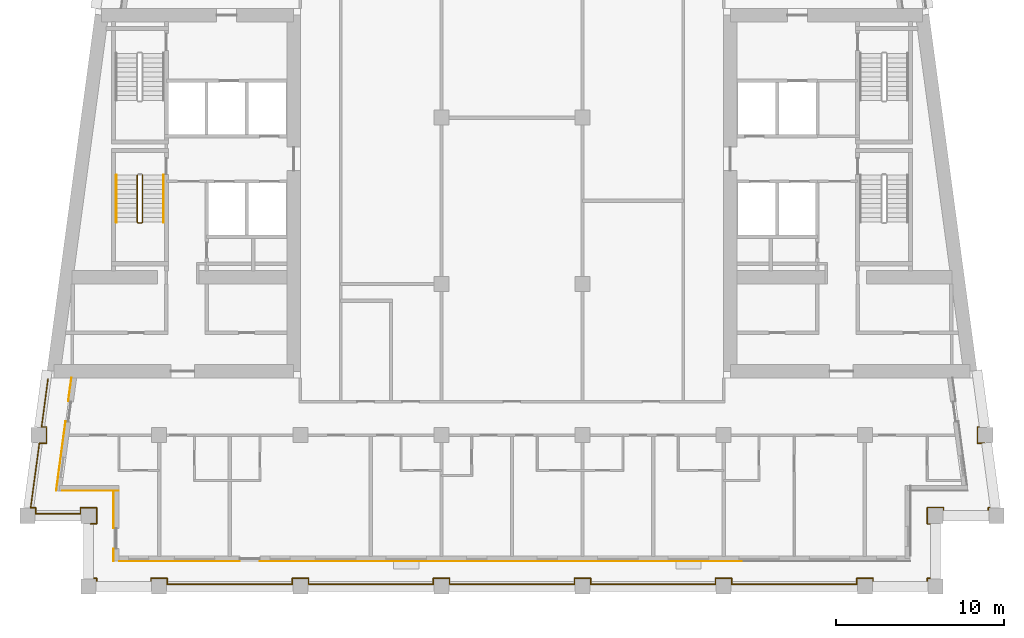
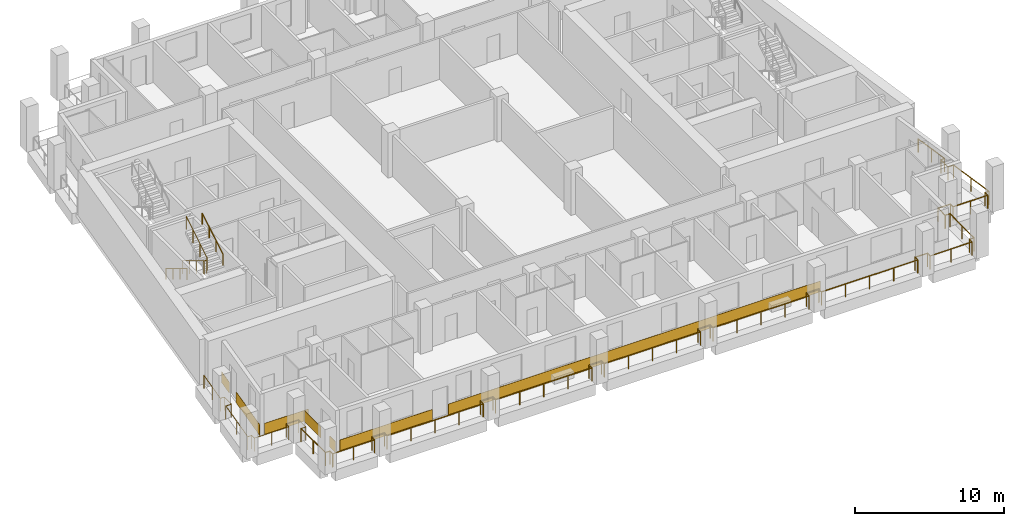
# One storey, part 8 of 12: 7 coverings, 5 railings.
"""IFC4 building model written with IfcOpenShell, lengths in metres."""

from ifc_helpers import new_model, si_unit, direction, frame, origin, origin_2d, place, context, subcontext, project, spatial, rectangle, circle, extrude, material, layer, layer_set, type_object, element, save


model = new_model("IFC4")

# Units and contexts
model_context = context("Model", 3, precision=1e-05, world=origin(), true_north=direction((0.0, 1.0)))
body_context = subcontext(model_context, "Body", "Model", "MODEL_VIEW")
ifc_project = project(units=[si_unit("LENGTHUNIT", "METRE"), si_unit("AREAUNIT", "SQUARE_METRE"), si_unit("VOLUMEUNIT", "CUBIC_METRE"), si_unit("PLANEANGLEUNIT", "RADIAN"), si_unit("MASSUNIT", "GRAM", prefix="KILO")], contexts=[model_context])

# Site, building, storey
site_placement = place(None, origin())
site = spatial("IfcSite", under=ifc_project, at=site_placement, CompositionType="ELEMENT")
building_placement = place(site_placement, origin())
building = spatial("IfcBuilding", under=site, at=building_placement, Name="Candeia Pilgrim Tower and Theatre", CompositionType="ELEMENT")
storey_placement = place(building_placement, frame((0.0, 0.0, 213.300048828125)))
storey = spatial("IfcBuildingStorey", under=building, at=storey_placement, Name="L51", CompositionType="ELEMENT", Elevation=213.300048828125)

# Railings
ifc_material_1 = material(Name="Stainless steel balustrade", Category="steel")
railing_type_1 = type_object("IfcRailingType", Name="G1 loggia guard 1100", PredefinedType="GUARDRAIL", material=ifc_material_1)
railing_1_placement = place(storey_placement, frame((88.320068359375, 101.719970703125, 0.0)))
element("IfcRailing", 1, at=railing_1_placement, inside=storey, type_object=railing_type_1, Name="Guard L51.1", PredefinedType="GUARDRAIL", context=body_context, shape_type="SweptSolid", body=[
    extrude(circle(Radius=0.02392578125, at=origin_2d()), frame((0.0, 0.0, 1.076171875), z_axis=(1.0, 0.0, 0.0), x_axis=(0.0, 1.0, 0.0)), (0.0, 0.0, 1.0), 0.35986328125),
    extrude(circle(Radius=0.02392578125, at=origin_2d()), frame((0.35986328125, 0.0, 1.076171875), z_axis=(0.0, 1.0, 0.0), x_axis=(-1.0, 0.0, 0.0)), (0.0, 0.0, 1.0), 0.9599609375),
    extrude(circle(Radius=0.02392578125, at=origin_2d()), frame((0.35986328125, 0.9599609375, 1.076171875), z_axis=(-1.0, 0.0, 0.0), x_axis=(0.0, -1.0, 0.0)), (0.0, 0.0, 1.0), 0.9599609375),
    extrude(circle(Radius=0.02392578125, at=origin_2d()), frame((-0.60009765625, 0.9599609375, 1.076171875), z_axis=(0.0, -1.0, 0.0), x_axis=(1.0, 0.0, 0.0)), (0.0, 0.0, 1.0), 0.35986328125),
    extrude(circle(Radius=0.02392578125, at=origin_2d()), frame((-0.60009765625, 0.60009765625, 1.076171875), z_axis=(-1.0, 0.0, 0.0), x_axis=(0.0, -1.0, 0.0)), (0.0, 0.0, 1.0), 2.674560546875),
    extrude(circle(Radius=0.02392578125, at=origin_2d()), frame((-3.274658203125, 0.60009765625, 1.076171875), z_axis=(0.0, 1.0, 0.0), x_axis=(-1.0, 0.0, 0.0)), (0.0, 0.0, 1.0), 0.35986328125),
    extrude(circle(Radius=0.02392578125, at=origin_2d()), frame((-3.274658203125, 0.9599609375, 1.076171875), z_axis=(-1.0, 0.0, 0.0), x_axis=(0.0, -1.0, 0.0)), (0.0, 0.0, 1.0), 0.29443359375),
    extrude(circle(Radius=0.02392578125, at=origin_2d()), frame((-3.569091796875, 0.9599609375, 1.076171875), z_axis=(0.133451286285, 0.991055373927, 0.0), x_axis=(-0.991055373927, 0.133451286285, 0.0)), (0.0, 0.0, 1.0), 3.874755859375),
    extrude(circle(Radius=0.02392578125, at=origin_2d()), frame((-3.052001953125, 4.800048828125, 1.076171875), z_axis=(1.0, 0.0, 0.0), x_axis=(0.0, 1.0, 0.0)), (0.0, 0.0, 1.0), 0.423583984375),
    extrude(circle(Radius=0.02392578125, at=origin_2d()), frame((-2.62841796875, 4.800048828125, 1.076171875), z_axis=(0.0, 1.0, 0.0), x_axis=(-1.0, 0.0, 0.0)), (0.0, 0.0, 1.0), 0.9599609375),
    extrude(circle(Radius=0.02392578125, at=origin_2d()), frame((-2.62841796875, 5.760009765625, 1.076171875), z_axis=(-1.0, 0.0, 0.0), x_axis=(0.0, -1.0, 0.0)), (0.0, 0.0, 1.0), 0.29443359375),
    extrude(circle(Radius=0.02392578125, at=origin_2d()), frame((-2.9228515625, 5.760009765625, 1.076171875), z_axis=(0.133450228179, 0.991055516406, 0.0), x_axis=(-0.991055516406, 0.133450228179, 0.0)), (0.0, 0.0, 1.0), 2.89599609375),
    extrude(circle(Radius=0.02099609375, at=origin_2d()), origin(), (0.0, 0.0, 1.0), 1.052001953125),
    extrude(circle(Radius=0.02099609375, at=origin_2d()), frame((0.35986328125, 0.0, 0.0)), (0.0, 0.0, 1.0), 1.052001953125),
    extrude(circle(Radius=0.02099609375, at=origin_2d()), frame((0.35986328125, 0.9599609375, 0.0)), (0.0, 0.0, 1.0), 1.052001953125),
    extrude(circle(Radius=0.02099609375, at=origin_2d()), frame((-0.60009765625, 0.9599609375, 0.0)), (0.0, 0.0, 1.0), 1.052001953125),
    extrude(circle(Radius=0.02099609375, at=origin_2d()), frame((-0.60009765625, 0.60009765625, 0.0)), (0.0, 0.0, 1.0), 1.052001953125),
    extrude(circle(Radius=0.02099609375, at=origin_2d()), frame((-1.9375, 0.60009765625, 0.0)), (0.0, 0.0, 1.0), 1.052001953125),
    extrude(circle(Radius=0.02099609375, at=origin_2d()), frame((-3.274658203125, 0.60009765625, 0.0)), (0.0, 0.0, 1.0), 1.052001953125),
    extrude(circle(Radius=0.02099609375, at=origin_2d()), frame((-3.274658203125, 0.9599609375, 0.0)), (0.0, 0.0, 1.0), 1.052001953125),
    extrude(circle(Radius=0.02099609375, at=origin_2d()), frame((-3.569091796875, 0.9599609375, 0.0)), (0.0, 0.0, 1.0), 1.052001953125),
    extrude(circle(Radius=0.02099609375, at=origin_2d()), frame((-3.310546875, 2.8798828125, 0.0)), (0.0, 0.0, 1.0), 1.052001953125),
    extrude(circle(Radius=0.02099609375, at=origin_2d()), frame((-3.052001953125, 4.800048828125, 0.0)), (0.0, 0.0, 1.0), 1.052001953125),
    extrude(circle(Radius=0.02099609375, at=origin_2d()), frame((-2.62841796875, 4.800048828125, 0.0)), (0.0, 0.0, 1.0), 1.052001953125),
    extrude(circle(Radius=0.02099609375, at=origin_2d()), frame((-2.62841796875, 5.760009765625, 0.0)), (0.0, 0.0, 1.0), 1.052001953125),
    extrude(circle(Radius=0.02099609375, at=origin_2d()), frame((-2.9228515625, 5.760009765625, 0.0)), (0.0, 0.0, 1.0), 1.052001953125),
    extrude(circle(Radius=0.02099609375, at=origin_2d()), frame((-2.7294921875, 7.195068359375, 0.0)), (0.0, 0.0, 1.0), 1.052001953125),
    extrude(circle(Radius=0.02099609375, at=origin_2d()), frame((-2.536376953125, 8.630126953125, 0.0)), (0.0, 0.0, 1.0), 1.052001953125),
])
railing_2_placement = place(storey_placement, frame((141.016357421875, 110.35009765625, 0.0)))
element("IfcRailing", 2, at=railing_2_placement, inside=storey, type_object=railing_type_1, Name="Guard L51.4", PredefinedType="GUARDRAIL", context=body_context, shape_type="SweptSolid", body=[
    extrude(circle(Radius=0.02392578125, at=origin_2d()), frame((0.0, 0.0, 1.076171875), z_axis=(0.133450228179, -0.991055516406, 0.0), x_axis=(0.991055516406, 0.133450228179, 0.0)), (0.0, 0.0, 1.0), 2.89599609375),
    extrude(circle(Radius=0.02392578125, at=origin_2d()), frame((0.386474609375, -2.8701171875, 1.076171875), z_axis=(-1.0, 0.0, 0.0), x_axis=(0.0, -1.0, 0.0)), (0.0, 0.0, 1.0), 0.29443359375),
    extrude(circle(Radius=0.02392578125, at=origin_2d()), frame((0.092041015625, -2.8701171875, 1.076171875), z_axis=(0.0, -1.0, 0.0), x_axis=(1.0, 0.0, 0.0)), (0.0, 0.0, 1.0), 0.9599609375),
    extrude(circle(Radius=0.02392578125, at=origin_2d()), frame((0.092041015625, -3.830078125, 1.076171875), z_axis=(1.0, 0.0, 0.0), x_axis=(0.0, 1.0, 0.0)), (0.0, 0.0, 1.0), 0.423583984375),
    extrude(circle(Radius=0.02392578125, at=origin_2d()), frame((0.515625, -3.830078125, 1.076171875), z_axis=(0.133389399471, -0.991063705374, 0.0), x_axis=(0.991063705374, 0.133389399471, 0.0)), (0.0, 0.0, 1.0), 3.874755859375),
    extrude(circle(Radius=0.02392578125, at=origin_2d()), frame((1.032470703125, -7.670166015625, 1.076171875), z_axis=(-1.0, 0.0, 0.0), x_axis=(0.0, -1.0, 0.0)), (0.0, 0.0, 1.0), 0.294189453125),
    extrude(circle(Radius=0.02392578125, at=origin_2d()), frame((0.73828125, -7.670166015625, 1.076171875), z_axis=(0.0, -1.0, 0.0), x_axis=(1.0, 0.0, 0.0)), (0.0, 0.0, 1.0), 0.35986328125),
    extrude(circle(Radius=0.02392578125, at=origin_2d()), frame((0.73828125, -8.030029296875, 1.076171875), z_axis=(-1.0, 0.0, 0.0), x_axis=(0.0, -1.0, 0.0)), (0.0, 0.0, 1.0), 2.674560546875),
    extrude(circle(Radius=0.02392578125, at=origin_2d()), frame((-1.936279296875, -8.030029296875, 1.076171875), z_axis=(0.0, 1.0, 0.0), x_axis=(-1.0, 0.0, 0.0)), (0.0, 0.0, 1.0), 0.35986328125),
    extrude(circle(Radius=0.02392578125, at=origin_2d()), frame((-1.936279296875, -7.670166015625, 1.076171875), z_axis=(-1.0, 0.0, 0.0), x_axis=(0.0, -1.0, 0.0)), (0.0, 0.0, 1.0), 0.9599609375),
    extrude(circle(Radius=0.02392578125, at=origin_2d()), frame((-2.896240234375, -7.670166015625, 1.076171875), z_axis=(0.0, -1.0, 0.0), x_axis=(1.0, 0.0, 0.0)), (0.0, 0.0, 1.0), 0.9599609375),
    extrude(circle(Radius=0.02392578125, at=origin_2d()), frame((-2.896240234375, -8.630126953125, 1.076171875), z_axis=(1.0, 0.0, 0.0), x_axis=(0.0, 1.0, 0.0)), (0.0, 0.0, 1.0), 0.35986328125),
    extrude(circle(Radius=0.02392578125, at=origin_2d()), frame((-2.536376953125, -8.630126953125, 1.076171875), z_axis=(0.0, -1.0, 0.0), x_axis=(1.0, 0.0, 0.0)), (0.0, 0.0, 1.0), 3.239990234375),
    extrude(circle(Radius=0.02392578125, at=origin_2d()), frame((-2.536376953125, -11.8701171875, 1.076171875), z_axis=(-1.0, 0.0, 0.0), x_axis=(0.0, -1.0, 0.0)), (0.0, 0.0, 1.0), 0.35986328125),
    extrude(circle(Radius=0.02392578125, at=origin_2d()), frame((-2.896240234375, -11.8701171875, 1.076171875), z_axis=(0.0, -1.0, 0.0), x_axis=(1.0, 0.0, 0.0)), (0.0, 0.0, 1.0), 0.35986328125),
    extrude(circle(Radius=0.02392578125, at=origin_2d()), frame((-2.896240234375, -12.22998046875, 1.076171875), z_axis=(-1.0, 0.0, 0.0), x_axis=(0.0, -1.0, 0.0)), (0.0, 0.0, 1.0), 3.240234375),
    extrude(circle(Radius=0.02392578125, at=origin_2d()), frame((-6.136474609375, -12.22998046875, 1.076171875), z_axis=(0.0, 1.0, 0.0), x_axis=(-1.0, 0.0, 0.0)), (0.0, 0.0, 1.0), 0.35986328125),
    extrude(circle(Radius=0.02392578125, at=origin_2d()), frame((-6.136474609375, -11.8701171875, 1.076171875), z_axis=(-1.0, 0.0, 0.0), x_axis=(0.0, -1.0, 0.0)), (0.0, 0.0, 1.0), 0.9599609375),
    extrude(circle(Radius=0.02392578125, at=origin_2d()), frame((-7.096435546875, -11.8701171875, 1.076171875), z_axis=(0.0, -1.0, 0.0), x_axis=(1.0, 0.0, 0.0)), (0.0, 0.0, 1.0), 0.35986328125),
    extrude(circle(Radius=0.02392578125, at=origin_2d()), frame((-7.096435546875, -12.22998046875, 1.076171875), z_axis=(-1.0, 0.0, 0.0), x_axis=(0.0, -1.0, 0.0)), (0.0, 0.0, 1.0), 7.43994140625),
    extrude(circle(Radius=0.02392578125, at=origin_2d()), frame((-14.536376953125, -12.22998046875, 1.076171875), z_axis=(0.0, 1.0, 0.0), x_axis=(-1.0, 0.0, 0.0)), (0.0, 0.0, 1.0), 0.35986328125),
    extrude(circle(Radius=0.02392578125, at=origin_2d()), frame((-14.536376953125, -11.8701171875, 1.076171875), z_axis=(-1.0, 0.0, 0.0), x_axis=(0.0, -1.0, 0.0)), (0.0, 0.0, 1.0), 0.9599609375),
    extrude(circle(Radius=0.02392578125, at=origin_2d()), frame((-15.496337890625, -11.8701171875, 1.076171875), z_axis=(0.0, -1.0, 0.0), x_axis=(1.0, 0.0, 0.0)), (0.0, 0.0, 1.0), 0.35986328125),
    extrude(circle(Radius=0.02392578125, at=origin_2d()), frame((-15.496337890625, -12.22998046875, 1.076171875), z_axis=(-1.0, 0.0, 0.0), x_axis=(0.0, -1.0, 0.0)), (0.0, 0.0, 1.0), 7.43994140625),
    extrude(circle(Radius=0.02392578125, at=origin_2d()), frame((-22.936279296875, -12.22998046875, 1.076171875), z_axis=(0.0, 1.0, 0.0), x_axis=(-1.0, 0.0, 0.0)), (0.0, 0.0, 1.0), 0.35986328125),
    extrude(circle(Radius=0.02392578125, at=origin_2d()), frame((-22.936279296875, -11.8701171875, 1.076171875), z_axis=(-1.0, 0.0, 0.0), x_axis=(0.0, -1.0, 0.0)), (0.0, 0.0, 1.0), 0.9599609375),
    extrude(circle(Radius=0.02392578125, at=origin_2d()), frame((-23.896240234375, -11.8701171875, 1.076171875), z_axis=(0.0, -1.0, 0.0), x_axis=(1.0, 0.0, 0.0)), (0.0, 0.0, 1.0), 0.35986328125),
    extrude(circle(Radius=0.02392578125, at=origin_2d()), frame((-23.896240234375, -12.22998046875, 1.076171875), z_axis=(-1.0, 0.0, 0.0), x_axis=(0.0, -1.0, 0.0)), (0.0, 0.0, 1.0), 7.440185546875),
    extrude(circle(Radius=0.02392578125, at=origin_2d()), frame((-31.33642578125, -12.22998046875, 1.076171875), z_axis=(0.0, 1.0, 0.0), x_axis=(-1.0, 0.0, 0.0)), (0.0, 0.0, 1.0), 0.35986328125),
    extrude(circle(Radius=0.02392578125, at=origin_2d()), frame((-31.33642578125, -11.8701171875, 1.076171875), z_axis=(-1.0, 0.0, 0.0), x_axis=(0.0, -1.0, 0.0)), (0.0, 0.0, 1.0), 0.9599609375),
    extrude(circle(Radius=0.02392578125, at=origin_2d()), frame((-32.29638671875, -11.8701171875, 1.076171875), z_axis=(0.0, -1.0, 0.0), x_axis=(1.0, 0.0, 0.0)), (0.0, 0.0, 1.0), 0.35986328125),
    extrude(circle(Radius=0.02392578125, at=origin_2d()), frame((-32.29638671875, -12.22998046875, 1.076171875), z_axis=(-1.0, 0.0, 0.0), x_axis=(0.0, -1.0, 0.0)), (0.0, 0.0, 1.0), 7.43994140625),
    extrude(circle(Radius=0.02392578125, at=origin_2d()), frame((-39.736328125, -12.22998046875, 1.076171875), z_axis=(0.0, 1.0, 0.0), x_axis=(-1.0, 0.0, 0.0)), (0.0, 0.0, 1.0), 0.35986328125),
    extrude(circle(Radius=0.02392578125, at=origin_2d()), frame((-39.736328125, -11.8701171875, 1.076171875), z_axis=(-1.0, 0.0, 0.0), x_axis=(0.0, -1.0, 0.0)), (0.0, 0.0, 1.0), 0.9599609375),
    extrude(circle(Radius=0.02392578125, at=origin_2d()), frame((-40.6962890625, -11.8701171875, 1.076171875), z_axis=(0.0, -1.0, 0.0), x_axis=(1.0, 0.0, 0.0)), (0.0, 0.0, 1.0), 0.35986328125),
    extrude(circle(Radius=0.02392578125, at=origin_2d()), frame((-40.6962890625, -12.22998046875, 1.076171875), z_axis=(-1.0, 0.0, 0.0), x_axis=(0.0, -1.0, 0.0)), (0.0, 0.0, 1.0), 7.440185546875),
    extrude(circle(Radius=0.02392578125, at=origin_2d()), frame((-48.136474609375, -12.22998046875, 1.076171875), z_axis=(0.0, 1.0, 0.0), x_axis=(-1.0, 0.0, 0.0)), (0.0, 0.0, 1.0), 0.35986328125),
    extrude(circle(Radius=0.02392578125, at=origin_2d()), frame((-48.136474609375, -11.8701171875, 1.076171875), z_axis=(-1.0, 0.0, 0.0), x_axis=(0.0, -1.0, 0.0)), (0.0, 0.0, 1.0), 0.9599609375),
    extrude(circle(Radius=0.02392578125, at=origin_2d()), frame((-49.096435546875, -11.8701171875, 1.076171875), z_axis=(0.0, -1.0, 0.0), x_axis=(1.0, 0.0, 0.0)), (0.0, 0.0, 1.0), 0.35986328125),
    extrude(circle(Radius=0.02392578125, at=origin_2d()), frame((-49.096435546875, -12.22998046875, 1.076171875), z_axis=(-1.0, 0.0, 0.0), x_axis=(0.0, -1.0, 0.0)), (0.0, 0.0, 1.0), 3.239990234375),
    extrude(circle(Radius=0.02392578125, at=origin_2d()), frame((-52.33642578125, -12.22998046875, 1.076171875), z_axis=(0.0, 1.0, 0.0), x_axis=(-1.0, 0.0, 0.0)), (0.0, 0.0, 1.0), 0.35986328125),
    extrude(circle(Radius=0.02392578125, at=origin_2d()), frame((-52.33642578125, -11.8701171875, 1.076171875), z_axis=(-1.0, 0.0, 0.0), x_axis=(0.0, -1.0, 0.0)), (0.0, 0.0, 1.0), 0.35986328125),
    extrude(circle(Radius=0.02392578125, at=origin_2d()), frame((-52.6962890625, -11.8701171875, 1.076171875), z_axis=(0.0, 1.0, 0.0), x_axis=(-1.0, 0.0, 0.0)), (0.0, 0.0, 1.0), 3.239990234375),
    extrude(circle(Radius=0.02099609375, at=origin_2d()), origin(), (0.0, 0.0, 1.0), 1.052001953125),
    extrude(circle(Radius=0.02099609375, at=origin_2d()), frame((0.193359375, -1.43505859375, 0.0)), (0.0, 0.0, 1.0), 1.052001953125),
    extrude(circle(Radius=0.02099609375, at=origin_2d()), frame((0.386474609375, -2.8701171875, 0.0)), (0.0, 0.0, 1.0), 1.052001953125),
    extrude(circle(Radius=0.02099609375, at=origin_2d()), frame((0.092041015625, -2.8701171875, 0.0)), (0.0, 0.0, 1.0), 1.052001953125),
    extrude(circle(Radius=0.02099609375, at=origin_2d()), frame((0.092041015625, -3.830078125, 0.0)), (0.0, 0.0, 1.0), 1.052001953125),
    extrude(circle(Radius=0.02099609375, at=origin_2d()), frame((0.515625, -3.830078125, 0.0)), (0.0, 0.0, 1.0), 1.052001953125),
    extrude(circle(Radius=0.02099609375, at=origin_2d()), frame((0.77392578125, -5.75, 0.0)), (0.0, 0.0, 1.0), 1.052001953125),
    extrude(circle(Radius=0.02099609375, at=origin_2d()), frame((1.032470703125, -7.670166015625, 0.0)), (0.0, 0.0, 1.0), 1.052001953125),
    extrude(circle(Radius=0.02099609375, at=origin_2d()), frame((0.73828125, -7.670166015625, 0.0)), (0.0, 0.0, 1.0), 1.052001953125),
    extrude(circle(Radius=0.02099609375, at=origin_2d()), frame((0.73828125, -8.030029296875, 0.0)), (0.0, 0.0, 1.0), 1.052001953125),
    extrude(circle(Radius=0.02099609375, at=origin_2d()), frame((-0.59912109375, -8.030029296875, 0.0)), (0.0, 0.0, 1.0), 1.052001953125),
    extrude(circle(Radius=0.02099609375, at=origin_2d()), frame((-1.936279296875, -8.030029296875, 0.0)), (0.0, 0.0, 1.0), 1.052001953125),
    extrude(circle(Radius=0.02099609375, at=origin_2d()), frame((-1.936279296875, -7.670166015625, 0.0)), (0.0, 0.0, 1.0), 1.052001953125),
    extrude(circle(Radius=0.02099609375, at=origin_2d()), frame((-2.896240234375, -7.670166015625, 0.0)), (0.0, 0.0, 1.0), 1.052001953125),
    extrude(circle(Radius=0.02099609375, at=origin_2d()), frame((-2.896240234375, -8.630126953125, 0.0)), (0.0, 0.0, 1.0), 1.052001953125),
    extrude(circle(Radius=0.02099609375, at=origin_2d()), frame((-2.536376953125, -8.630126953125, 0.0)), (0.0, 0.0, 1.0), 1.052001953125),
    extrude(circle(Radius=0.02099609375, at=origin_2d()), frame((-2.536376953125, -10.25, 0.0)), (0.0, 0.0, 1.0), 1.052001953125),
    extrude(circle(Radius=0.02099609375, at=origin_2d()), frame((-2.536376953125, -11.8701171875, 0.0)), (0.0, 0.0, 1.0), 1.052001953125),
    extrude(circle(Radius=0.02099609375, at=origin_2d()), frame((-2.896240234375, -11.8701171875, 0.0)), (0.0, 0.0, 1.0), 1.052001953125),
    extrude(circle(Radius=0.02099609375, at=origin_2d()), frame((-2.896240234375, -12.22998046875, 0.0)), (0.0, 0.0, 1.0), 1.052001953125),
    extrude(circle(Radius=0.02099609375, at=origin_2d()), frame((-4.516357421875, -12.22998046875, 0.0)), (0.0, 0.0, 1.0), 1.052001953125),
    extrude(circle(Radius=0.02099609375, at=origin_2d()), frame((-6.136474609375, -12.22998046875, 0.0)), (0.0, 0.0, 1.0), 1.052001953125),
    extrude(circle(Radius=0.02099609375, at=origin_2d()), frame((-6.136474609375, -11.8701171875, 0.0)), (0.0, 0.0, 1.0), 1.052001953125),
    extrude(circle(Radius=0.02099609375, at=origin_2d()), frame((-7.096435546875, -11.8701171875, 0.0)), (0.0, 0.0, 1.0), 1.052001953125),
    extrude(circle(Radius=0.02099609375, at=origin_2d()), frame((-7.096435546875, -12.22998046875, 0.0)), (0.0, 0.0, 1.0), 1.052001953125),
    extrude(circle(Radius=0.02099609375, at=origin_2d()), frame((-8.95654296875, -12.22998046875, 0.0)), (0.0, 0.0, 1.0), 1.052001953125),
    extrude(circle(Radius=0.02099609375, at=origin_2d()), frame((-10.81640625, -12.22998046875, 0.0)), (0.0, 0.0, 1.0), 1.052001953125),
    extrude(circle(Radius=0.02099609375, at=origin_2d()), frame((-12.67626953125, -12.22998046875, 0.0)), (0.0, 0.0, 1.0), 1.052001953125),
    extrude(circle(Radius=0.02099609375, at=origin_2d()), frame((-14.536376953125, -12.22998046875, 0.0)), (0.0, 0.0, 1.0), 1.052001953125),
    extrude(circle(Radius=0.02099609375, at=origin_2d()), frame((-14.536376953125, -11.8701171875, 0.0)), (0.0, 0.0, 1.0), 1.052001953125),
    extrude(circle(Radius=0.02099609375, at=origin_2d()), frame((-15.496337890625, -11.8701171875, 0.0)), (0.0, 0.0, 1.0), 1.052001953125),
    extrude(circle(Radius=0.02099609375, at=origin_2d()), frame((-15.496337890625, -12.22998046875, 0.0)), (0.0, 0.0, 1.0), 1.052001953125),
    extrude(circle(Radius=0.02099609375, at=origin_2d()), frame((-17.3564453125, -12.22998046875, 0.0)), (0.0, 0.0, 1.0), 1.052001953125),
    extrude(circle(Radius=0.02099609375, at=origin_2d()), frame((-19.21630859375, -12.22998046875, 0.0)), (0.0, 0.0, 1.0), 1.052001953125),
    extrude(circle(Radius=0.02099609375, at=origin_2d()), frame((-21.076171875, -12.22998046875, 0.0)), (0.0, 0.0, 1.0), 1.052001953125),
    extrude(circle(Radius=0.02099609375, at=origin_2d()), frame((-22.936279296875, -12.22998046875, 0.0)), (0.0, 0.0, 1.0), 1.052001953125),
    extrude(circle(Radius=0.02099609375, at=origin_2d()), frame((-22.936279296875, -11.8701171875, 0.0)), (0.0, 0.0, 1.0), 1.052001953125),
    extrude(circle(Radius=0.02099609375, at=origin_2d()), frame((-23.896240234375, -11.8701171875, 0.0)), (0.0, 0.0, 1.0), 1.052001953125),
    extrude(circle(Radius=0.02099609375, at=origin_2d()), frame((-23.896240234375, -12.22998046875, 0.0)), (0.0, 0.0, 1.0), 1.052001953125),
    extrude(circle(Radius=0.02099609375, at=origin_2d()), frame((-25.75634765625, -12.22998046875, 0.0)), (0.0, 0.0, 1.0), 1.052001953125),
    extrude(circle(Radius=0.02099609375, at=origin_2d()), frame((-27.6162109375, -12.22998046875, 0.0)), (0.0, 0.0, 1.0), 1.052001953125),
    extrude(circle(Radius=0.02099609375, at=origin_2d()), frame((-29.476318359375, -12.22998046875, 0.0)), (0.0, 0.0, 1.0), 1.052001953125),
    extrude(circle(Radius=0.02099609375, at=origin_2d()), frame((-31.33642578125, -12.22998046875, 0.0)), (0.0, 0.0, 1.0), 1.052001953125),
    extrude(circle(Radius=0.02099609375, at=origin_2d()), frame((-31.33642578125, -11.8701171875, 0.0)), (0.0, 0.0, 1.0), 1.052001953125),
    extrude(circle(Radius=0.02099609375, at=origin_2d()), frame((-32.29638671875, -11.8701171875, 0.0)), (0.0, 0.0, 1.0), 1.052001953125),
    extrude(circle(Radius=0.02099609375, at=origin_2d()), frame((-32.29638671875, -12.22998046875, 0.0)), (0.0, 0.0, 1.0), 1.052001953125),
    extrude(circle(Radius=0.02099609375, at=origin_2d()), frame((-34.15625, -12.22998046875, 0.0)), (0.0, 0.0, 1.0), 1.052001953125),
    extrude(circle(Radius=0.02099609375, at=origin_2d()), frame((-36.016357421875, -12.22998046875, 0.0)), (0.0, 0.0, 1.0), 1.052001953125),
    extrude(circle(Radius=0.02099609375, at=origin_2d()), frame((-37.87646484375, -12.22998046875, 0.0)), (0.0, 0.0, 1.0), 1.052001953125),
    extrude(circle(Radius=0.02099609375, at=origin_2d()), frame((-39.736328125, -12.22998046875, 0.0)), (0.0, 0.0, 1.0), 1.052001953125),
    extrude(circle(Radius=0.02099609375, at=origin_2d()), frame((-39.736328125, -11.8701171875, 0.0)), (0.0, 0.0, 1.0), 1.052001953125),
    extrude(circle(Radius=0.02099609375, at=origin_2d()), frame((-40.6962890625, -11.8701171875, 0.0)), (0.0, 0.0, 1.0), 1.052001953125),
    extrude(circle(Radius=0.02099609375, at=origin_2d()), frame((-40.6962890625, -12.22998046875, 0.0)), (0.0, 0.0, 1.0), 1.052001953125),
    extrude(circle(Radius=0.02099609375, at=origin_2d()), frame((-42.556396484375, -12.22998046875, 0.0)), (0.0, 0.0, 1.0), 1.052001953125),
    extrude(circle(Radius=0.02099609375, at=origin_2d()), frame((-44.41650390625, -12.22998046875, 0.0)), (0.0, 0.0, 1.0), 1.052001953125),
    extrude(circle(Radius=0.02099609375, at=origin_2d()), frame((-46.2763671875, -12.22998046875, 0.0)), (0.0, 0.0, 1.0), 1.052001953125),
    extrude(circle(Radius=0.02099609375, at=origin_2d()), frame((-48.136474609375, -12.22998046875, 0.0)), (0.0, 0.0, 1.0), 1.052001953125),
    extrude(circle(Radius=0.02099609375, at=origin_2d()), frame((-48.136474609375, -11.8701171875, 0.0)), (0.0, 0.0, 1.0), 1.052001953125),
    extrude(circle(Radius=0.02099609375, at=origin_2d()), frame((-49.096435546875, -11.8701171875, 0.0)), (0.0, 0.0, 1.0), 1.052001953125),
    extrude(circle(Radius=0.02099609375, at=origin_2d()), frame((-49.096435546875, -12.22998046875, 0.0)), (0.0, 0.0, 1.0), 1.052001953125),
    extrude(circle(Radius=0.02099609375, at=origin_2d()), frame((-50.71630859375, -12.22998046875, 0.0)), (0.0, 0.0, 1.0), 1.052001953125),
    extrude(circle(Radius=0.02099609375, at=origin_2d()), frame((-52.33642578125, -12.22998046875, 0.0)), (0.0, 0.0, 1.0), 1.052001953125),
    extrude(circle(Radius=0.02099609375, at=origin_2d()), frame((-52.33642578125, -11.8701171875, 0.0)), (0.0, 0.0, 1.0), 1.052001953125),
    extrude(circle(Radius=0.02099609375, at=origin_2d()), frame((-52.6962890625, -11.8701171875, 0.0)), (0.0, 0.0, 1.0), 1.052001953125),
    extrude(circle(Radius=0.02099609375, at=origin_2d()), frame((-52.6962890625, -10.25, 0.0)), (0.0, 0.0, 1.0), 1.052001953125),
    extrude(circle(Radius=0.02099609375, at=origin_2d()), frame((-52.6962890625, -8.630126953125, 0.0)), (0.0, 0.0, 1.0), 1.052001953125),
])

# Coverings
ifc_material_2 = material(Name="Glazed ceramic tile bottle green")
ifc_layer = layer(ifc_material_2, 0.02001953125)
ifc_layer_set = layer_set([ifc_layer], Name="Glazed ceramic tile bottle green")
covering_type = type_object("IfcCoveringType", Name="Glazed ceramic tile bottle green", PredefinedType="CLADDING", material=ifc_layer_set)
covering_1_placement = place(storey_placement, frame((93.610107421875, 99.489990234375, 0.0), z_axis=(0.0, 0.0, 1.0), x_axis=(1.0, 0.0, 0.0)))
element("IfcCovering", 3, at=covering_1_placement, inside=storey, type_object=covering_type, Name="Tile cladding bottle green L51", PredefinedType="CLADDING", context=body_context, shape_type="SweptSolid", body=[
    extrude(rectangle(XDim=7.179931640625, YDim=0.02001953125, at=origin_2d()), origin(), (0.0, 0.0, 1.0), 0.89990234375),
])
covering_2_placement = place(storey_placement, frame((112.800048828125, 99.489990234375, 0.0), z_axis=(0.0, 0.0, 1.0), x_axis=(1.0, 0.0, 0.0)))
element("IfcCovering", 4, at=covering_2_placement, inside=storey, type_object=covering_type, Name="Tile cladding bottle green L51", PredefinedType="CLADDING", context=body_context, shape_type="SweptSolid", body=[
    extrude(rectangle(XDim=28.800048828125, YDim=0.02001953125, at=origin_2d()), origin(), (0.0, 0.0, 1.0), 0.89990234375),
])
covering_3_placement = place(storey_placement, frame((87.0810546875, 109.71875, 0.0), z_axis=(0.0, 0.0, 1.0), x_axis=(-0.133412012145, -0.991060661622, 0.0)))
element("IfcCovering", 5, at=covering_3_placement, inside=storey, type_object=covering_type, Name="Tile cladding bottle green L51", PredefinedType="CLADDING", context=body_context, shape_type="SweptSolid", body=[
    extrude(rectangle(XDim=1.41796875, YDim=0.02001953125, at=origin_2d()), origin(), (0.0, 0.0, 1.0), 0.89990234375),
])
covering_4_placement = place(storey_placement, frame((86.548583984375, 105.763916015625, 0.0), z_axis=(0.0, 0.0, 1.0), x_axis=(-0.133412012145, -0.991060661622, 0.0)))
element("IfcCovering", 6, at=covering_4_placement, inside=storey, type_object=covering_type, Name="Tile cladding bottle green L51", PredefinedType="CLADDING", context=body_context, shape_type="SweptSolid", body=[
    extrude(rectangle(XDim=4.16259765625, YDim=0.02001953125, at=origin_2d()), origin(), (0.0, 0.0, 1.0), 0.89990234375),
])
covering_5_placement = place(storey_placement, frame((88.311279296875, 103.68994140625, 0.0), z_axis=(0.0, 0.0, 1.0), x_axis=(1.0, 0.0, 0.0)))
element("IfcCovering", 7, at=covering_5_placement, inside=storey, type_object=covering_type, Name="Tile cladding bottle green L51", PredefinedType="CLADDING", context=body_context, shape_type="SweptSolid", body=[
    extrude(rectangle(XDim=3.377685546875, YDim=0.02001953125, at=origin_2d()), origin(), (0.0, 0.0, 1.0), 0.89990234375),
])
covering_6_placement = place(storey_placement, frame((89.68994140625, 102.56494140625, 0.0), z_axis=(0.0, 0.0, 1.0), x_axis=(0.0, -1.0, 0.0)))
element("IfcCovering", 8, at=covering_6_placement, inside=storey, type_object=covering_type, Name="Tile cladding bottle green L51", PredefinedType="CLADDING", context=body_context, shape_type="SweptSolid", body=[
    extrude(rectangle(XDim=2.22998046875, YDim=0.02001953125, at=origin_2d()), origin(), (0.0, 0.0, 1.0), 0.89990234375),
])
covering_7_placement = place(storey_placement, frame((89.68994140625, 99.875, 0.0), z_axis=(0.0, 0.0, 1.0), x_axis=(0.0, -1.0, 0.0)))
element("IfcCovering", 9, at=covering_7_placement, inside=storey, type_object=covering_type, Name="Tile cladding bottle green L51", PredefinedType="CLADDING", context=body_context, shape_type="SweptSolid", body=[
    extrude(rectangle(XDim=0.75, YDim=0.02001953125, at=origin_2d()), origin(), (0.0, 0.0, 1.0), 0.89990234375),
])

# Railings
railing_type_2 = type_object("IfcRailingType", Name="RL-GUARD-1100", PredefinedType="GUARDRAIL", material=ifc_material_1)
railing_3_placement = place(storey_placement, frame((91.10205078125, 122.47509765625, 0.168212890625)))
element("IfcRailing", 10, at=railing_3_placement, inside=storey, type_object=railing_type_2, Name="L51 ST1 stair guard 1", PredefinedType="GUARDRAIL", context=body_context, shape_type="SweptSolid", body=[
    extrude(circle(Radius=0.02392578125, at=origin_2d()), frame((0.0, 0.0, 1.076171875), z_axis=(0.0, -0.857275202839, 0.514858452973), x_axis=(1.0, 0.0, 0.0)), (0.0, 0.0, 1.0), 3.26611328125),
    extrude(circle(Radius=0.02392578125, at=origin_2d()), frame((0.0, -2.800048828125, 2.7578125), z_axis=(0.707106781187, -0.707106781187, 0.0), x_axis=(0.707106781187, 0.707106781187, 0.0)), (0.0, 0.0, 1.0), 0.07080078125),
    extrude(circle(Radius=0.02392578125, at=origin_2d()), frame((0.050048828125, -2.85009765625, 2.7578125), z_axis=(1.0, 0.0, 0.0), x_axis=(0.0, 1.0, 0.0)), (0.0, 0.0, 1.0), 0.199951171875),
    extrude(circle(Radius=0.02392578125, at=origin_2d()), frame((0.25, -2.85009765625, 2.7578125), z_axis=(0.274243871929, 0.274243871929, 0.92172696468), x_axis=(-0.707106781187, 0.707106781187, 0.0)), (0.0, 0.0, 1.0), 0.1826171875),
    extrude(circle(Radius=0.02392578125, at=origin_2d()), frame((0.300048828125, -2.800048828125, 2.92578125), z_axis=(0.0, 0.857242210791, 0.514913383045), x_axis=(-1.0, 0.0, 0.0)), (0.0, 0.0, 1.0), 3.266357421875),
    extrude(circle(Radius=0.02099609375, at=origin_2d()), origin(), (0.0, 0.0, 1.0), 1.052001953125),
    extrude(circle(Radius=0.02099609375, at=origin_2d()), frame((0.0, -0.933349609375, 0.560546875)), (0.0, 0.0, 1.0), 1.052001953125),
    extrude(circle(Radius=0.02099609375, at=origin_2d()), frame((0.0, -1.86669921875, 1.12109375)), (0.0, 0.0, 1.0), 1.052001953125),
    extrude(circle(Radius=0.02099609375, at=origin_2d()), frame((0.0, -2.800048828125, 1.681640625)), (0.0, 0.0, 1.0), 1.052001953125),
    extrude(circle(Radius=0.02099609375, at=origin_2d()), frame((0.050048828125, -2.85009765625, 1.681640625)), (0.0, 0.0, 1.0), 1.052001953125),
    extrude(circle(Radius=0.02099609375, at=origin_2d()), frame((0.25, -2.85009765625, 1.681640625)), (0.0, 0.0, 1.0), 1.052001953125),
    extrude(circle(Radius=0.02099609375, at=origin_2d()), frame((0.300048828125, -2.800048828125, 1.849853515625)), (0.0, 0.0, 1.0), 1.052001953125),
    extrude(circle(Radius=0.02099609375, at=origin_2d()), frame((0.300048828125, -1.86669921875, 2.410400390625)), (0.0, 0.0, 1.0), 1.052001953125),
    extrude(circle(Radius=0.02099609375, at=origin_2d()), frame((0.300048828125, -0.933349609375, 2.97119140625)), (0.0, 0.0, 1.0), 1.052001953125),
    extrude(circle(Radius=0.02099609375, at=origin_2d()), frame((0.300048828125, 0.0, 3.53173828125)), (0.0, 0.0, 1.0), 1.052001953125),
])
ifc_material_3 = material(Name="Stainless steel handrail", Category="steel")
railing_type_3 = type_object("IfcRailingType", Name="RL-HANDRAIL-900", PredefinedType="HANDRAIL", material=ifc_material_3)
railing_4_placement = place(storey_placement, frame((89.85205078125, 122.47509765625, 0.168212890625)))
element("IfcRailing", 11, at=railing_4_placement, inside=storey, type_object=railing_type_3, Name="L51 ST1 stair handrail 1", PredefinedType="HANDRAIL", context=body_context, shape_type="SweptSolid", body=[
    extrude(circle(Radius=0.02392578125, at=origin_2d()), frame((0.0, 0.0, 0.8759765625), z_axis=(0.0, -0.857275202839, 0.514858452973), x_axis=(1.0, 0.0, 0.0)), (0.0, 0.0, 1.0), 3.26611328125),
    extrude(circle(Radius=0.02099609375, at=origin_2d()), origin(), (0.0, 0.0, 1.0), 0.851806640625),
    extrude(circle(Radius=0.02099609375, at=origin_2d()), frame((0.0, -0.933349609375, 0.560546875)), (0.0, 0.0, 1.0), 0.851806640625),
    extrude(circle(Radius=0.02099609375, at=origin_2d()), frame((0.0, -1.86669921875, 1.12109375)), (0.0, 0.0, 1.0), 0.851806640625),
    extrude(circle(Radius=0.02099609375, at=origin_2d()), frame((0.0, -2.800048828125, 1.681640625)), (0.0, 0.0, 1.0), 0.851806640625),
])
railing_5_placement = place(storey_placement, frame((92.652099609375, 119.675048828125, 2.01806640625)))
element("IfcRailing", 12, at=railing_5_placement, inside=storey, type_object=railing_type_3, Name="L51 ST1 stair handrail 2", PredefinedType="HANDRAIL", context=body_context, shape_type="SweptSolid", body=[
    extrude(circle(Radius=0.02392578125, at=origin_2d()), frame((0.0, 0.0, 0.8759765625), z_axis=(0.0, 0.857242210791, 0.514913383045), x_axis=(-1.0, 0.0, 0.0)), (0.0, 0.0, 1.0), 3.266357421875),
    extrude(circle(Radius=0.02099609375, at=origin_2d()), origin(), (0.0, 0.0, 1.0), 0.851806640625),
    extrude(circle(Radius=0.02099609375, at=origin_2d()), frame((0.0, 0.933349609375, 0.560546875)), (0.0, 0.0, 1.0), 0.851806640625),
    extrude(circle(Radius=0.02099609375, at=origin_2d()), frame((0.0, 1.86669921875, 1.121337890625)), (0.0, 0.0, 1.0), 0.851806640625),
    extrude(circle(Radius=0.02099609375, at=origin_2d()), frame((0.0, 2.800048828125, 1.681884765625)), (0.0, 0.0, 1.0), 0.851806640625),
])

save(model, "model.ifc")
